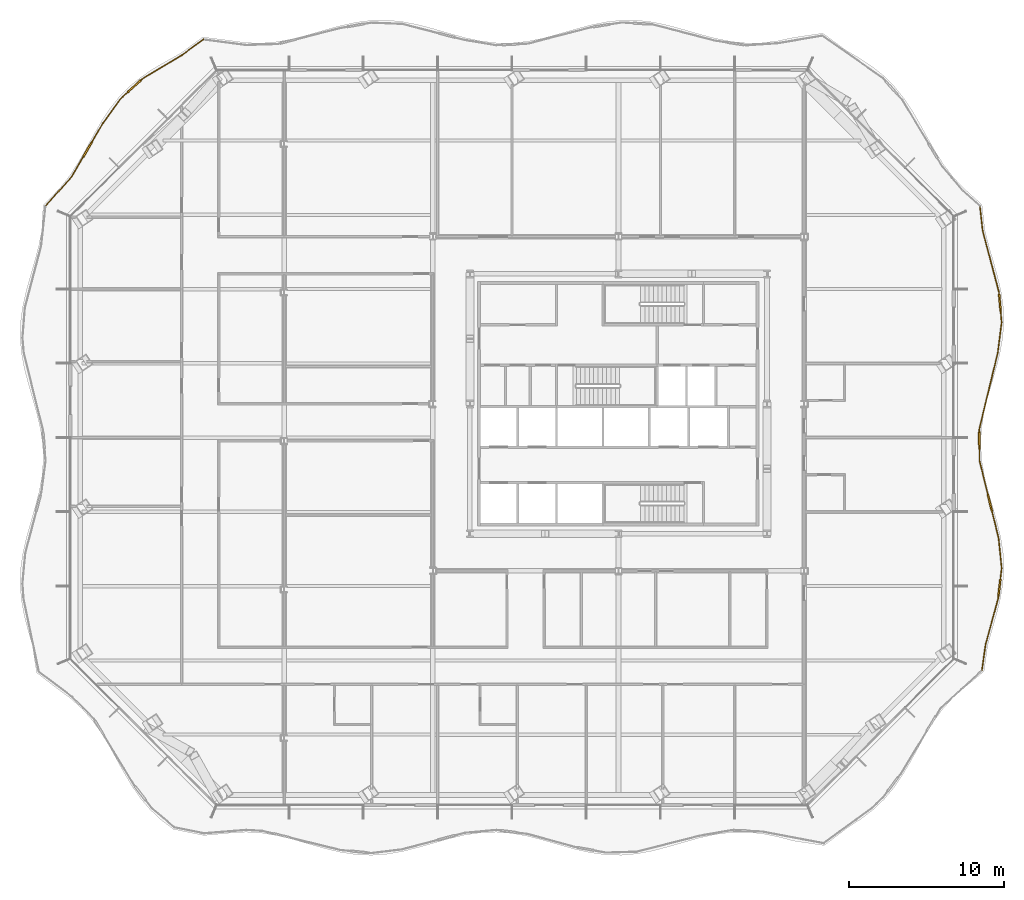
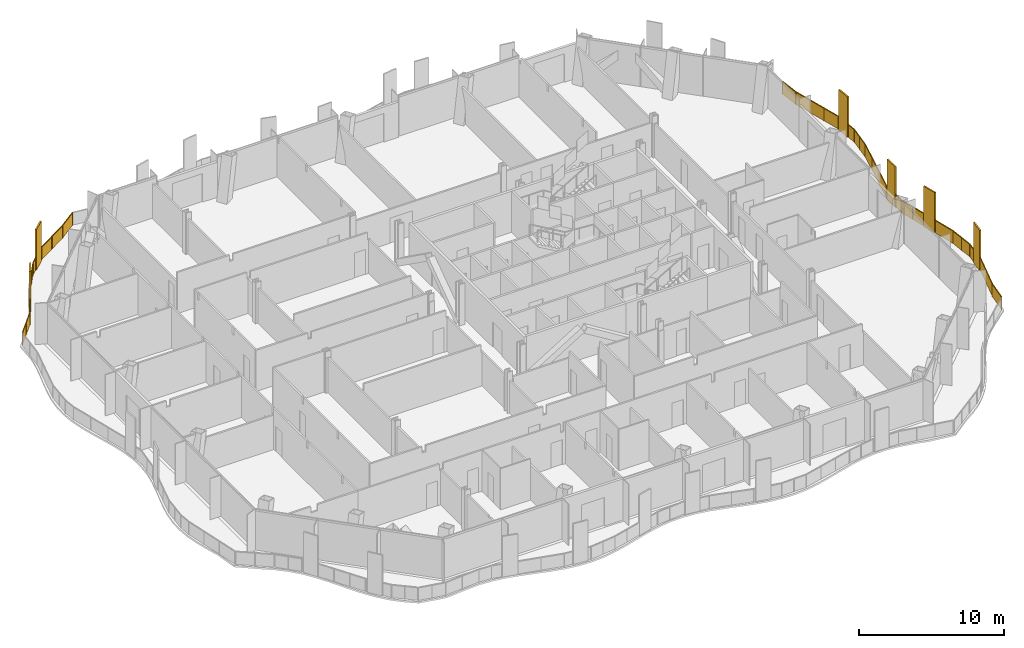
# One storey, part 17 of 19: 2 railings.
"""IFC4 building model written with IfcOpenShell, lengths in metres."""

from ifc_helpers import new_model, si_unit, direction, frame, origin, origin_2d, place, context, subcontext, project, spatial, polyline, rectangle, outline, extrude, material, type_object, element, save


model = new_model("IFC4")

# Units and contexts
model_context = context("Model", 3, precision=1e-05, world=origin(), true_north=direction((0.0, 1.0)))
body_context = subcontext(model_context, "Body", "Model", "MODEL_VIEW")
ifc_project = project(units=[si_unit("LENGTHUNIT", "METRE"), si_unit("AREAUNIT", "SQUARE_METRE"), si_unit("VOLUMEUNIT", "CUBIC_METRE"), si_unit("PLANEANGLEUNIT", "RADIAN"), si_unit("MASSUNIT", "GRAM", prefix="KILO")], contexts=[model_context])

# Site, building, storey
site_placement = place(None, origin())
site = spatial("IfcSite", under=ifc_project, at=site_placement, CompositionType="ELEMENT")
building_placement = place(site_placement, origin())
building = spatial("IfcBuilding", under=site, at=building_placement, Name="Cairn Pilgrim Tower", CompositionType="ELEMENT")
storey_placement = place(building_placement, frame((0.0, 0.0, 90.60009765625)))
storey = spatial("IfcBuildingStorey", under=building, at=storey_placement, Name="L21", CompositionType="ELEMENT", Elevation=90.60009765625)

# Railings
ifc_material = material(Name="Bronze anodised aluminium rail, posts and fin screens with laminated glass infill", Category="aluminium")
railing_type = type_object("IfcRailingType", Name="BALCONY GUARD WITH FIN SCREENS", PredefinedType="GUARDRAIL", material=ifc_material)
railing_1_placement = place(storey_placement, frame((30.6943359375, -14.822265625, 0.0)))
element("IfcRailing", 1, at=railing_1_placement, inside=storey, type_object=railing_type, Name="Balcony guard BGF-2 with fin screens", PredefinedType="GUARDRAIL", context=body_context, shape_type="SweptSolid", body=[
    extrude(rectangle(XDim=0.050048828125, YDim=0.050048828125, at=origin_2d()), frame((0.0, 0.0, 1.0751953125), z_axis=(0.139422245384, 0.990233021815, 0.0), x_axis=(-0.990233021815, 0.139422245384, 0.0)), (0.0, 0.0, 1.0), 1.67578125),
    extrude(rectangle(XDim=0.050048828125, YDim=0.050048828125, at=origin_2d()), frame((0.233642578125, 1.659423828125, 1.0751953125), z_axis=(0.26384008149, 0.964566437006, 0.0), x_axis=(-0.964566437006, 0.26384008149, 0.0)), (0.0, 0.0, 1.0), 3.0869140625),
    extrude(rectangle(XDim=1.10009765625, YDim=0.110107421875, at=origin_2d()), frame((1.128662109375, 5.332275390625, 0.0), z_axis=(0.0, 0.0, 1.0), x_axis=(0.115037707022, 0.993361125655, 0.0)), (0.0, 0.0, 1.0), 3.39990234375),
    extrude(rectangle(XDim=0.050048828125, YDim=0.050048828125, at=origin_2d()), frame((1.048095703125, 4.636962890625, 1.0751953125), z_axis=(0.115037707022, 0.993361125655, 0.0), x_axis=(-0.993361125655, 0.115037707022, 0.0)), (0.0, 0.0, 1.0), 0.14990234375),
    extrude(rectangle(XDim=0.050048828125, YDim=0.050048828125, at=origin_2d()), frame((1.19189453125, 5.878662109375, 1.0751953125), z_axis=(0.115037707022, 0.993361125655, 0.0), x_axis=(-0.993361125655, 0.115037707022, 0.0)), (0.0, 0.0, 1.0), 0.7216796875),
    extrude(rectangle(XDim=0.050048828125, YDim=0.050048828125, at=origin_2d()), frame((1.27490234375, 6.595458984375, 1.0751953125), z_axis=(-0.101761530313, 0.994808821306, 0.0), x_axis=(-0.994808821306, -0.101761530313, 0.0)), (0.0, 0.0, 1.0), 1.9697265625),
    extrude(rectangle(XDim=1.10009765625, YDim=0.110107421875, at=origin_2d()), frame((0.516845703125, 10.813720703125, 0.0), z_axis=(0.0, 0.0, 1.0), x_axis=(-0.239685585867, 0.970850565189, 0.0)), (0.0, 0.0, 1.0), 3.39990234375),
    extrude(rectangle(XDim=0.050048828125, YDim=0.050048828125, at=origin_2d()), frame((1.074462890625, 8.554931640625, 1.0751953125), z_axis=(-0.239685585867, 0.970850565189, 0.0), x_axis=(-0.970850565189, -0.239685585867, 0.0)), (0.0, 0.0, 1.0), 1.776611328125),
    extrude(rectangle(XDim=0.050048828125, YDim=0.050048828125, at=origin_2d()), frame((0.385009765625, 11.347900390625, 1.0751953125), z_axis=(-0.239685585867, 0.970850565189, 0.0), x_axis=(-0.970850565189, -0.239685585867, 0.0)), (0.0, 0.0, 1.0), 2.24462890625),
    extrude(rectangle(XDim=1.10009765625, YDim=0.110107421875, at=origin_2d()), frame((-0.1708984375, 14.849365234375, 0.0), z_axis=(0.0, 0.0, 1.0), x_axis=(-0.01352043494, 0.999908594742, 0.0)), (0.0, 0.0, 1.0), 3.39990234375),
    extrude(rectangle(XDim=0.050048828125, YDim=0.050048828125, at=origin_2d()), frame((-0.153076171875, 13.527099609375, 1.0751953125), z_axis=(-0.01352043494, 0.999908594742, 0.0), x_axis=(-0.999908594742, -0.01352043494, 0.0)), (0.0, 0.0, 1.0), 0.7724609375),
    extrude(rectangle(XDim=0.050048828125, YDim=0.050048828125, at=origin_2d()), frame((-0.178466796875, 15.3994140625, 1.0751953125), z_axis=(-0.01352043494, 0.999908594742, 0.0), x_axis=(-0.999908594742, -0.01352043494, 0.0)), (0.0, 0.0, 1.0), 0.14990234375),
    extrude(rectangle(XDim=0.050048828125, YDim=0.050048828125, at=origin_2d()), frame((-0.180419921875, 15.54931640625, 1.0751953125), z_axis=(0.235291552754, 0.971924835161, 0.0), x_axis=(-0.971924835161, 0.235291552754, 0.0)), (0.0, 0.0, 1.0), 5.11962890625),
    extrude(rectangle(XDim=0.050048828125, YDim=0.050048828125, at=origin_2d()), frame((1.024169921875, 20.525146484375, 1.0751953125), z_axis=(0.126055467571, 0.992023194837, 0.0), x_axis=(-0.992023194837, 0.126055467571, 0.0)), (0.0, 0.0, 1.0), 1.9775390625),
    extrude(rectangle(XDim=1.10009765625, YDim=0.110107421875, at=origin_2d()), frame((1.159423828125, 23.7470703125, 0.0), z_axis=(0.0, 0.0, 1.0), x_axis=(-0.090177360209, 0.995925721982, 0.0)), (0.0, 0.0, 1.0), 3.39990234375),
    extrude(rectangle(XDim=0.050048828125, YDim=0.050048828125, at=origin_2d()), frame((1.2734375, 22.48681640625, 1.0751953125), z_axis=(-0.090177360209, 0.995925721982, 0.0), x_axis=(-0.995925721982, -0.090177360209, 0.0)), (0.0, 0.0, 1.0), 0.71533203125),
    extrude(rectangle(XDim=0.050048828125, YDim=0.050048828125, at=origin_2d()), frame((1.109619140625, 24.294921875, 1.0751953125), z_axis=(-0.090177360209, 0.995925721982, 0.0), x_axis=(-0.995925721982, -0.090177360209, 0.0)), (0.0, 0.0, 1.0), 0.150146484375),
    extrude(rectangle(XDim=0.050048828125, YDim=0.050048828125, at=origin_2d()), frame((1.09619140625, 24.4443359375, 1.0751953125), z_axis=(-0.25592359857, 0.96669701132, 0.0), x_axis=(-0.96669701132, -0.25592359857, 0.0)), (0.0, 0.0, 1.0), 4.107666015625),
    extrude(rectangle(XDim=0.050048828125, YDim=0.050048828125, at=origin_2d()), frame((0.044921875, 28.415283203125, 1.0751953125), z_axis=(-0.109517460608, 0.993984872029, 0.0), x_axis=(-0.993984872029, -0.109517460608, 0.0)), (0.0, 0.0, 1.0), 1.5537109375),
    extrude(rectangle(XDim=0.050048828125, YDim=0.050048828125, at=origin_2d()), origin(), (0.0, 0.0, 1.0), 1.050048828125),
    extrude(rectangle(XDim=0.050048828125, YDim=0.050048828125, at=origin_2d()), frame((0.233642578125, 1.659423828125, 0.0)), (0.0, 0.0, 1.0), 1.050048828125),
    extrude(rectangle(XDim=0.050048828125, YDim=0.050048828125, at=origin_2d()), frame((0.640869140625, 3.148193359375, 0.0)), (0.0, 0.0, 1.0), 1.050048828125),
    extrude(rectangle(XDim=0.050048828125, YDim=0.050048828125, at=origin_2d()), frame((1.048095703125, 4.636962890625, 0.0)), (0.0, 0.0, 1.0), 1.050048828125),
    extrude(rectangle(XDim=0.050048828125, YDim=0.050048828125, at=origin_2d()), frame((1.0625, 4.760986328125, 0.0)), (0.0, 0.0, 1.0), 1.050048828125),
    extrude(rectangle(XDim=0.050048828125, YDim=0.050048828125, at=origin_2d()), frame((1.19482421875, 5.9033203125, 0.0)), (0.0, 0.0, 1.0), 1.050048828125),
    extrude(rectangle(XDim=0.050048828125, YDim=0.050048828125, at=origin_2d()), frame((1.27490234375, 6.595458984375, 0.0)), (0.0, 0.0, 1.0), 1.050048828125),
    extrude(rectangle(XDim=0.050048828125, YDim=0.050048828125, at=origin_2d()), frame((1.1748046875, 7.5751953125, 0.0)), (0.0, 0.0, 1.0), 1.050048828125),
    extrude(rectangle(XDim=0.050048828125, YDim=0.050048828125, at=origin_2d()), frame((1.074462890625, 8.554931640625, 0.0)), (0.0, 0.0, 1.0), 1.050048828125),
    extrude(rectangle(XDim=0.050048828125, YDim=0.050048828125, at=origin_2d()), frame((0.654541015625, 10.255615234375, 0.0)), (0.0, 0.0, 1.0), 1.050048828125),
    extrude(rectangle(XDim=0.050048828125, YDim=0.050048828125, at=origin_2d()), frame((0.37890625, 11.3720703125, 0.0)), (0.0, 0.0, 1.0), 1.050048828125),
    extrude(rectangle(XDim=0.050048828125, YDim=0.050048828125, at=origin_2d()), frame((0.113037109375, 12.44970703125, 0.0)), (0.0, 0.0, 1.0), 1.050048828125),
    extrude(rectangle(XDim=0.050048828125, YDim=0.050048828125, at=origin_2d()), frame((-0.153076171875, 13.527099609375, 0.0)), (0.0, 0.0, 1.0), 1.050048828125),
    extrude(rectangle(XDim=0.050048828125, YDim=0.050048828125, at=origin_2d()), frame((-0.1630859375, 14.2744140625, 0.0)), (0.0, 0.0, 1.0), 1.050048828125),
    extrude(rectangle(XDim=0.050048828125, YDim=0.050048828125, at=origin_2d()), frame((-0.1787109375, 15.42431640625, 0.0)), (0.0, 0.0, 1.0), 1.050048828125),
    extrude(rectangle(XDim=0.050048828125, YDim=0.050048828125, at=origin_2d()), frame((-0.180419921875, 15.54931640625, 0.0)), (0.0, 0.0, 1.0), 1.050048828125),
    extrude(rectangle(XDim=0.050048828125, YDim=0.050048828125, at=origin_2d()), frame((0.22119140625, 17.2080078125, 0.0)), (0.0, 0.0, 1.0), 1.050048828125),
    extrude(rectangle(XDim=0.050048828125, YDim=0.050048828125, at=origin_2d()), frame((0.62255859375, 18.866455078125, 0.0)), (0.0, 0.0, 1.0), 1.050048828125),
    extrude(rectangle(XDim=0.050048828125, YDim=0.050048828125, at=origin_2d()), frame((1.024169921875, 20.525146484375, 0.0)), (0.0, 0.0, 1.0), 1.050048828125),
    extrude(rectangle(XDim=0.050048828125, YDim=0.050048828125, at=origin_2d()), frame((1.14892578125, 21.505859375, 0.0)), (0.0, 0.0, 1.0), 1.050048828125),
    extrude(rectangle(XDim=0.050048828125, YDim=0.050048828125, at=origin_2d()), frame((1.2734375, 22.48681640625, 0.0)), (0.0, 0.0, 1.0), 1.050048828125),
    extrude(rectangle(XDim=0.050048828125, YDim=0.050048828125, at=origin_2d()), frame((1.211181640625, 23.17431640625, 0.0)), (0.0, 0.0, 1.0), 1.050048828125),
    extrude(rectangle(XDim=0.050048828125, YDim=0.050048828125, at=origin_2d()), frame((1.107421875, 24.31982421875, 0.0)), (0.0, 0.0, 1.0), 1.050048828125),
    extrude(rectangle(XDim=0.050048828125, YDim=0.050048828125, at=origin_2d()), frame((1.09619140625, 24.4443359375, 0.0)), (0.0, 0.0, 1.0), 1.050048828125),
    extrude(rectangle(XDim=0.050048828125, YDim=0.050048828125, at=origin_2d()), frame((0.745849609375, 25.76806640625, 0.0)), (0.0, 0.0, 1.0), 1.050048828125),
    extrude(rectangle(XDim=0.050048828125, YDim=0.050048828125, at=origin_2d()), frame((0.395263671875, 27.091552734375, 0.0)), (0.0, 0.0, 1.0), 1.050048828125),
    extrude(rectangle(XDim=0.050048828125, YDim=0.050048828125, at=origin_2d()), frame((0.044921875, 28.415283203125, 0.0)), (0.0, 0.0, 1.0), 1.050048828125),
    extrude(rectangle(XDim=0.050048828125, YDim=0.050048828125, at=origin_2d()), frame((-0.125244140625, 29.959716796875, 0.0)), (0.0, 0.0, 1.0), 1.050048828125),
    extrude(outline(polyline([(0.02490234375, 0.0), (1.65087890625, 0.0), (1.65087890625, 1.050048828125), (0.02490234375, 1.050048828125), (0.02490234375, 0.0)])), frame((-0.005859375, 0.000732421875, 0.0), z_axis=(0.990233021815, -0.139422245384, 0.0), x_axis=(0.139422245384, 0.990233021815, 0.0)), (0.0, 0.0, 1.0), 0.011962890625),
    extrude(outline(polyline([(0.02490234375, 0.0), (1.5185546875, 0.0), (1.5185546875, 1.050048828125), (0.02490234375, 1.050048828125), (0.02490234375, 0.0)])), frame((0.227783203125, 1.660888671875, 0.0), z_axis=(0.964566437006, -0.26384008149, 0.0), x_axis=(0.26384008149, 0.964566437006, 0.0)), (0.0, 0.0, 1.0), 0.011962890625),
    extrude(outline(polyline([(0.02490234375, 0.0), (1.5185546875, 0.0), (1.5185546875, 1.050048828125), (0.02490234375, 1.050048828125), (0.02490234375, 0.0)])), frame((0.635009765625, 3.149658203125, 0.0), z_axis=(0.964566437006, -0.26384008149, 0.0), x_axis=(0.26384008149, 0.964566437006, 0.0)), (0.0, 0.0, 1.0), 0.011962890625),
    extrude(outline(polyline([(0.02490234375, 0.0), (0.099853515625, 0.0), (0.099853515625, 1.050048828125), (0.02490234375, 1.050048828125), (0.02490234375, 0.0)])), frame((1.042236328125, 4.6376953125, 0.0), z_axis=(0.993361125655, -0.115037707022, 0.0), x_axis=(0.115037707022, 0.993361125655, 0.0)), (0.0, 0.0, 1.0), 0.011962890625),
    extrude(outline(polyline([(0.02490234375, 0.0), (0.671630859375, 0.0), (0.671630859375, 1.050048828125), (0.02490234375, 1.050048828125), (0.02490234375, 0.0)])), frame((1.188720703125, 5.904052734375, 0.0), z_axis=(0.993361125655, -0.115037707022, 0.0), x_axis=(0.115037707022, 0.993361125655, 0.0)), (0.0, 0.0, 1.0), 0.011962890625),
    extrude(outline(polyline([(0.02490234375, 0.0), (0.959716796875, 0.0), (0.959716796875, 1.050048828125), (0.02490234375, 1.050048828125), (0.02490234375, 0.0)])), frame((1.26904296875, 6.594970703125, 0.0), z_axis=(0.994808821306, 0.101761530313, 0.0), x_axis=(-0.101761530313, 0.994808821306, 0.0)), (0.0, 0.0, 1.0), 0.011962890625),
    extrude(outline(polyline([(0.02490234375, 0.0), (0.959716796875, 0.0), (0.959716796875, 1.050048828125), (0.02490234375, 1.050048828125), (0.02490234375, 0.0)])), frame((1.168701171875, 7.57470703125, 0.0), z_axis=(0.994808821306, 0.101761530313, 0.0), x_axis=(-0.101761530313, 0.994808821306, 0.0)), (0.0, 0.0, 1.0), 0.011962890625),
    extrude(outline(polyline([(0.02490234375, 0.0), (1.7265625, 0.0), (1.7265625, 1.050048828125), (0.02490234375, 1.050048828125), (0.02490234375, 0.0)])), frame((1.068603515625, 8.553466796875, 0.0), z_axis=(0.970850565189, 0.239685585867, 0.0), x_axis=(-0.239685585867, 0.970850565189, 0.0)), (0.0, 0.0, 1.0), 0.011962890625),
    extrude(outline(polyline([(0.02490234375, 0.0), (1.084716796875, 0.0), (1.084716796875, 1.050048828125), (0.02490234375, 1.050048828125), (0.02490234375, 0.0)])), frame((0.373046875, 11.37060546875, 0.0), z_axis=(0.970850565189, 0.239685585867, 0.0), x_axis=(-0.239685585867, 0.970850565189, 0.0)), (0.0, 0.0, 1.0), 0.011962890625),
    extrude(outline(polyline([(0.02490234375, 0.0), (1.084716796875, 0.0), (1.084716796875, 1.050048828125), (0.02490234375, 1.050048828125), (0.02490234375, 0.0)])), frame((0.107177734375, 12.4482421875, 0.0), z_axis=(0.970850565189, 0.239685585867, 0.0), x_axis=(-0.239685585867, 0.970850565189, 0.0)), (0.0, 0.0, 1.0), 0.011962890625),
    extrude(outline(polyline([(0.02490234375, 0.0), (0.722412109375, 0.0), (0.722412109375, 1.050048828125), (0.02490234375, 1.050048828125), (0.02490234375, 0.0)])), frame((-0.158935546875, 13.527099609375, 0.0), z_axis=(0.999908594742, 0.01352043494, 0.0), x_axis=(-0.01352043494, 0.999908594742, 0.0)), (0.0, 0.0, 1.0), 0.011962890625),
    extrude(outline(polyline([(0.02490234375, 0.0), (0.099853515625, 0.0), (0.099853515625, 1.050048828125), (0.02490234375, 1.050048828125), (0.02490234375, 0.0)])), frame((-0.184814453125, 15.42431640625, 0.0), z_axis=(0.999908594742, 0.01352043494, 0.0), x_axis=(-0.01352043494, 0.999908594742, 0.0)), (0.0, 0.0, 1.0), 0.011962890625),
    extrude(outline(polyline([(0.02490234375, 0.0), (1.681396484375, 0.0), (1.681396484375, 1.050048828125), (0.02490234375, 1.050048828125), (0.02490234375, 0.0)])), frame((-0.186279296875, 15.55078125, 0.0), z_axis=(0.971924835161, -0.235291552754, 0.0), x_axis=(0.235291552754, 0.971924835161, 0.0)), (0.0, 0.0, 1.0), 0.011962890625),
    extrude(outline(polyline([(0.02490234375, 0.0), (1.681396484375, 0.0), (1.681396484375, 1.050048828125), (0.02490234375, 1.050048828125), (0.02490234375, 0.0)])), frame((0.21533203125, 17.209228515625, 0.0), z_axis=(0.971924835161, -0.235291552754, 0.0), x_axis=(0.235291552754, 0.971924835161, 0.0)), (0.0, 0.0, 1.0), 0.011962890625),
    extrude(outline(polyline([(0.02490234375, 0.0), (1.681396484375, 0.0), (1.681396484375, 1.050048828125), (0.02490234375, 1.050048828125), (0.02490234375, 0.0)])), frame((0.616943359375, 18.867919921875, 0.0), z_axis=(0.971924835161, -0.235291552754, 0.0), x_axis=(0.235291552754, 0.971924835161, 0.0)), (0.0, 0.0, 1.0), 0.011962890625),
    extrude(outline(polyline([(0.02490234375, 0.0), (0.963623046875, 0.0), (0.963623046875, 1.050048828125), (0.02490234375, 1.050048828125), (0.02490234375, 0.0)])), frame((1.018310546875, 20.52587890625, 0.0), z_axis=(0.992023194837, -0.126055467571, 0.0), x_axis=(0.126055467571, 0.992023194837, 0.0)), (0.0, 0.0, 1.0), 0.011962890625),
    extrude(outline(polyline([(0.02490234375, 0.0), (0.963623046875, 0.0), (0.963623046875, 1.050048828125), (0.02490234375, 1.050048828125), (0.02490234375, 0.0)])), frame((1.142822265625, 21.5068359375, 0.0), z_axis=(0.992023194837, -0.126055467571, 0.0), x_axis=(0.126055467571, 0.992023194837, 0.0)), (0.0, 0.0, 1.0), 0.011962890625),
    extrude(outline(polyline([(0.02490234375, 0.0), (0.665283203125, 0.0), (0.665283203125, 1.050048828125), (0.02490234375, 1.050048828125), (0.02490234375, 0.0)])), frame((1.267578125, 22.486328125, 0.0), z_axis=(0.995925721982, 0.090177360209, 0.0), x_axis=(-0.090177360209, 0.995925721982, 0.0)), (0.0, 0.0, 1.0), 0.011962890625),
    extrude(outline(polyline([(0.02490234375, 0.0), (0.10009765625, 0.0), (0.10009765625, 1.050048828125), (0.02490234375, 1.050048828125), (0.02490234375, 0.0)])), frame((1.1015625, 24.3193359375, 0.0), z_axis=(0.995925721982, 0.090177360209, 0.0), x_axis=(-0.090177360209, 0.995925721982, 0.0)), (0.0, 0.0, 1.0), 0.011962890625),
    extrude(outline(polyline([(0.02490234375, 0.0), (1.34423828125, 0.0), (1.34423828125, 1.050048828125), (0.02490234375, 1.050048828125), (0.02490234375, 0.0)])), frame((1.09033203125, 24.44287109375, 0.0), z_axis=(0.96669701132, 0.25592359857, 0.0), x_axis=(-0.25592359857, 0.96669701132, 0.0)), (0.0, 0.0, 1.0), 0.011962890625),
    extrude(outline(polyline([(0.02490234375, 0.0), (1.34423828125, 0.0), (1.34423828125, 1.050048828125), (0.02490234375, 1.050048828125), (0.02490234375, 0.0)])), frame((0.739990234375, 25.766357421875, 0.0), z_axis=(0.96669701132, 0.25592359857, 0.0), x_axis=(-0.25592359857, 0.96669701132, 0.0)), (0.0, 0.0, 1.0), 0.011962890625),
    extrude(outline(polyline([(0.02490234375, 0.0), (1.34423828125, 0.0), (1.34423828125, 1.050048828125), (0.02490234375, 1.050048828125), (0.02490234375, 0.0)])), frame((0.3896484375, 27.090087890625, 0.0), z_axis=(0.96669701132, 0.25592359857, 0.0), x_axis=(-0.25592359857, 0.96669701132, 0.0)), (0.0, 0.0, 1.0), 0.011962890625),
    extrude(outline(polyline([(0.02490234375, 0.0), (1.52880859375, 0.0), (1.52880859375, 1.050048828125), (0.02490234375, 1.050048828125), (0.02490234375, 0.0)])), frame((0.0390625, 28.41455078125, 0.0), z_axis=(0.993984872029, 0.109517460608, 0.0), x_axis=(-0.109517460608, 0.993984872029, 0.0)), (0.0, 0.0, 1.0), 0.011962890625),
])
railing_2_placement = place(storey_placement, frame((-19.625244140625, 25.954345703125, 0.0)))
element("IfcRailing", 2, at=railing_2_placement, inside=storey, type_object=railing_type, Name="Balcony guard BGF-5 with fin screens", PredefinedType="GUARDRAIL", context=body_context, shape_type="SweptSolid", body=[
    extrude(rectangle(XDim=0.050048828125, YDim=0.050048828125, at=origin_2d()), frame((0.0, 0.0, 1.0751953125), z_axis=(-0.806783216958, -0.590847561418, 0.0), x_axis=(0.590847561418, -0.806783216958, 0.0)), (0.0, 0.0, 1.0), 1.72314453125),
    extrude(rectangle(XDim=0.050048828125, YDim=0.050048828125, at=origin_2d()), frame((-1.39013671875, -1.01806640625, 1.0751953125), z_axis=(-0.857240693133, -0.514915909675, 0.0), x_axis=(0.514915909675, -0.857240693133, 0.0)), (0.0, 0.0, 1.0), 2.990478515625),
    extrude(rectangle(XDim=1.10009765625, YDim=0.110107421875, at=origin_2d()), frame((-4.47021484375, -3.0302734375, 0.0), z_axis=(0.0, 0.0, 1.0), x_axis=(-0.738023357858, -0.674775164967, 0.0)), (0.0, 0.0, 1.0), 3.39990234375),
    extrude(rectangle(XDim=0.050048828125, YDim=0.050048828125, at=origin_2d()), frame((-3.95361328125, -2.557861328125, 1.0751953125), z_axis=(-0.738023357858, -0.674775164967, 0.0), x_axis=(0.674775164967, -0.738023357858, 0.0)), (0.0, 0.0, 1.0), 0.14990234375),
    extrude(rectangle(XDim=0.050048828125, YDim=0.050048828125, at=origin_2d()), frame((-4.876220703125, -3.4013671875, 1.0751953125), z_axis=(-0.738023357858, -0.674775164967, 0.0), x_axis=(0.674775164967, -0.738023357858, 0.0)), (0.0, 0.0, 1.0), 0.66064453125),
    extrude(rectangle(XDim=0.050048828125, YDim=0.050048828125, at=origin_2d()), frame((-5.36376953125, -3.84716796875, 1.0751953125), z_axis=(-0.583731853446, -0.811946502716, 0.0), x_axis=(0.811946502716, -0.583731853446, 0.0)), (0.0, 0.0, 1.0), 1.942626953125),
    extrude(rectangle(XDim=1.10009765625, YDim=0.110107421875, at=origin_2d()), frame((-7.481201171875, -7.10888671875, 0.0), z_axis=(0.0, 0.0, 1.0), x_axis=(-0.504256273904, -0.863554057502, 0.0)), (0.0, 0.0, 1.0), 3.39990234375),
    extrude(rectangle(XDim=0.050048828125, YDim=0.050048828125, at=origin_2d()), frame((-6.497802734375, -5.424560546875, 1.0751953125), z_axis=(-0.504256273904, -0.863554057502, 0.0), x_axis=(0.863554057502, -0.504256273904, 0.0)), (0.0, 0.0, 1.0), 1.400390625),
    extrude(rectangle(XDim=0.050048828125, YDim=0.050048828125, at=origin_2d()), frame((-7.758544921875, -7.583740234375, 1.0751953125), z_axis=(-0.504256273904, -0.863554057502, 0.0), x_axis=(0.863554057502, -0.504256273904, 0.0)), (0.0, 0.0, 1.0), 1.51806640625),
    extrude(rectangle(XDim=0.050048828125, YDim=0.050048828125, at=origin_2d()), frame((-8.524169921875, -8.894775390625, 1.0751953125), z_axis=(-0.667835462355, -0.744308938023, 0.0), x_axis=(0.744308938023, -0.667835462355, 0.0)), (0.0, 0.0, 1.0), 2.47412109375),
    extrude(rectangle(XDim=0.050048828125, YDim=0.050048828125, at=origin_2d()), origin(), (0.0, 0.0, 1.0), 1.050048828125),
    extrude(rectangle(XDim=0.050048828125, YDim=0.050048828125, at=origin_2d()), frame((-1.39013671875, -1.01806640625, 0.0)), (0.0, 0.0, 1.0), 1.050048828125),
    extrude(rectangle(XDim=0.050048828125, YDim=0.050048828125, at=origin_2d()), frame((-2.671875, -1.7880859375, 0.0)), (0.0, 0.0, 1.0), 1.050048828125),
    extrude(rectangle(XDim=0.050048828125, YDim=0.050048828125, at=origin_2d()), frame((-3.95361328125, -2.557861328125, 0.0)), (0.0, 0.0, 1.0), 1.050048828125),
    extrude(rectangle(XDim=0.050048828125, YDim=0.050048828125, at=origin_2d()), frame((-4.0458984375, -2.64208984375, 0.0)), (0.0, 0.0, 1.0), 1.050048828125),
    extrude(rectangle(XDim=0.050048828125, YDim=0.050048828125, at=origin_2d()), frame((-4.89453125, -3.418212890625, 0.0)), (0.0, 0.0, 1.0), 1.050048828125),
    extrude(rectangle(XDim=0.050048828125, YDim=0.050048828125, at=origin_2d()), frame((-5.36376953125, -3.84716796875, 0.0)), (0.0, 0.0, 1.0), 1.050048828125),
    extrude(rectangle(XDim=0.050048828125, YDim=0.050048828125, at=origin_2d()), frame((-5.9306640625, -4.6357421875, 0.0)), (0.0, 0.0, 1.0), 1.050048828125),
    extrude(rectangle(XDim=0.050048828125, YDim=0.050048828125, at=origin_2d()), frame((-6.497802734375, -5.424560546875, 0.0)), (0.0, 0.0, 1.0), 1.050048828125),
    extrude(rectangle(XDim=0.050048828125, YDim=0.050048828125, at=origin_2d()), frame((-7.19140625, -6.6123046875, 0.0)), (0.0, 0.0, 1.0), 1.050048828125),
    extrude(rectangle(XDim=0.050048828125, YDim=0.050048828125, at=origin_2d()), frame((-7.771240234375, -7.60546875, 0.0)), (0.0, 0.0, 1.0), 1.050048828125),
    extrude(rectangle(XDim=0.050048828125, YDim=0.050048828125, at=origin_2d()), frame((-8.524169921875, -8.894775390625, 0.0)), (0.0, 0.0, 1.0), 1.050048828125),
    extrude(rectangle(XDim=0.050048828125, YDim=0.050048828125, at=origin_2d()), frame((-9.350341796875, -9.8154296875, 0.0)), (0.0, 0.0, 1.0), 1.050048828125),
    extrude(rectangle(XDim=0.050048828125, YDim=0.050048828125, at=origin_2d()), frame((-10.176513671875, -10.736328125, 0.0)), (0.0, 0.0, 1.0), 1.050048828125),
    extrude(outline(polyline([(0.02490234375, 0.0), (1.697998046875, 0.0), (1.697998046875, 1.050048828125), (0.02490234375, 1.050048828125), (0.02490234375, 0.0)])), frame((0.00341796875, -0.0048828125, 0.0), z_axis=(-0.590847561418, 0.806783216958, 0.0), x_axis=(-0.806783216958, -0.590847561418, 0.0)), (0.0, 0.0, 1.0), 0.011962890625),
    extrude(outline(polyline([(0.02490234375, 0.0), (1.47021484375, 0.0), (1.47021484375, 1.050048828125), (0.02490234375, 1.050048828125), (0.02490234375, 0.0)])), frame((-1.386962890625, -1.023193359375, 0.0), z_axis=(-0.514915909675, 0.857240693133, 0.0), x_axis=(-0.857240693133, -0.514915909675, 0.0)), (0.0, 0.0, 1.0), 0.011962890625),
    extrude(outline(polyline([(0.02490234375, 0.0), (1.47021484375, 0.0), (1.47021484375, 1.050048828125), (0.02490234375, 1.050048828125), (0.02490234375, 0.0)])), frame((-2.668701171875, -1.793212890625, 0.0), z_axis=(-0.514915909675, 0.857240693133, 0.0), x_axis=(-0.857240693133, -0.514915909675, 0.0)), (0.0, 0.0, 1.0), 0.011962890625),
    extrude(outline(polyline([(0.02490234375, 0.0), (0.099853515625, 0.0), (0.099853515625, 1.050048828125), (0.02490234375, 1.050048828125), (0.02490234375, 0.0)])), frame((-3.949462890625, -2.562255859375, 0.0), z_axis=(-0.674775164967, 0.738023357858, 0.0), x_axis=(-0.738023357858, -0.674775164967, 0.0)), (0.0, 0.0, 1.0), 0.011962890625),
    extrude(outline(polyline([(0.02490234375, 0.0), (0.610595703125, 0.0), (0.610595703125, 1.050048828125), (0.02490234375, 1.050048828125), (0.02490234375, 0.0)])), frame((-4.890625, -3.422607421875, 0.0), z_axis=(-0.674775164967, 0.738023357858, 0.0), x_axis=(-0.738023357858, -0.674775164967, 0.0)), (0.0, 0.0, 1.0), 0.011962890625),
    extrude(outline(polyline([(0.02490234375, 0.0), (0.9462890625, 0.0), (0.9462890625, 1.050048828125), (0.02490234375, 1.050048828125), (0.02490234375, 0.0)])), frame((-5.35888671875, -3.8505859375, 0.0), z_axis=(-0.811946502716, 0.583731853446, 0.0), x_axis=(-0.583731853446, -0.811946502716, 0.0)), (0.0, 0.0, 1.0), 0.011962890625),
    extrude(outline(polyline([(0.02490234375, 0.0), (0.9462890625, 0.0), (0.9462890625, 1.050048828125), (0.02490234375, 1.050048828125), (0.02490234375, 0.0)])), frame((-5.926025390625, -4.639404296875, 0.0), z_axis=(-0.811946502716, 0.583731853446, 0.0), x_axis=(-0.583731853446, -0.811946502716, 0.0)), (0.0, 0.0, 1.0), 0.011962890625),
    extrude(outline(polyline([(0.02490234375, 0.0), (1.350341796875, 0.0), (1.350341796875, 1.050048828125), (0.02490234375, 1.050048828125), (0.02490234375, 0.0)])), frame((-6.49267578125, -5.427490234375, 0.0), z_axis=(-0.863554057502, 0.504256273904, 0.0), x_axis=(-0.504256273904, -0.863554057502, 0.0)), (0.0, 0.0, 1.0), 0.011962890625),
    extrude(outline(polyline([(0.02490234375, 0.0), (1.468017578125, 0.0), (1.468017578125, 1.050048828125), (0.02490234375, 1.050048828125), (0.02490234375, 0.0)])), frame((-7.76611328125, -7.6083984375, 0.0), z_axis=(-0.863554057502, 0.504256273904, 0.0), x_axis=(-0.504256273904, -0.863554057502, 0.0)), (0.0, 0.0, 1.0), 0.011962890625),
    extrude(outline(polyline([(0.02490234375, 0.0), (1.212158203125, 0.0), (1.212158203125, 1.050048828125), (0.02490234375, 1.050048828125), (0.02490234375, 0.0)])), frame((-8.519775390625, -8.898681640625, 0.0), z_axis=(-0.744308938023, 0.667835462355, 0.0), x_axis=(-0.667835462355, -0.744308938023, 0.0)), (0.0, 0.0, 1.0), 0.011962890625),
    extrude(outline(polyline([(0.02490234375, 0.0), (1.212158203125, 0.0), (1.212158203125, 1.050048828125), (0.02490234375, 1.050048828125), (0.02490234375, 0.0)])), frame((-9.345947265625, -9.819580078125, 0.0), z_axis=(-0.744308938023, 0.667835462355, 0.0), x_axis=(-0.667835462355, -0.744308938023, 0.0)), (0.0, 0.0, 1.0), 0.011962890625),
])

save(model, "model.ifc")
